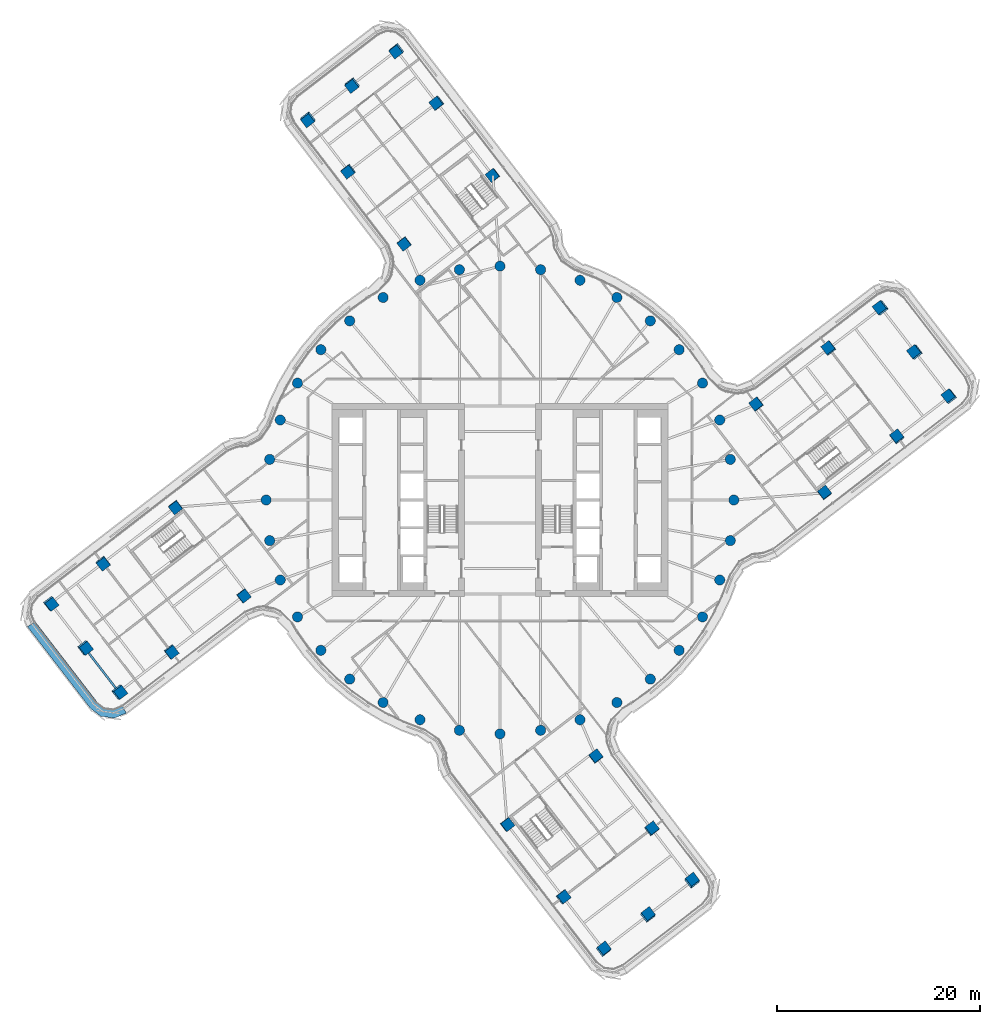
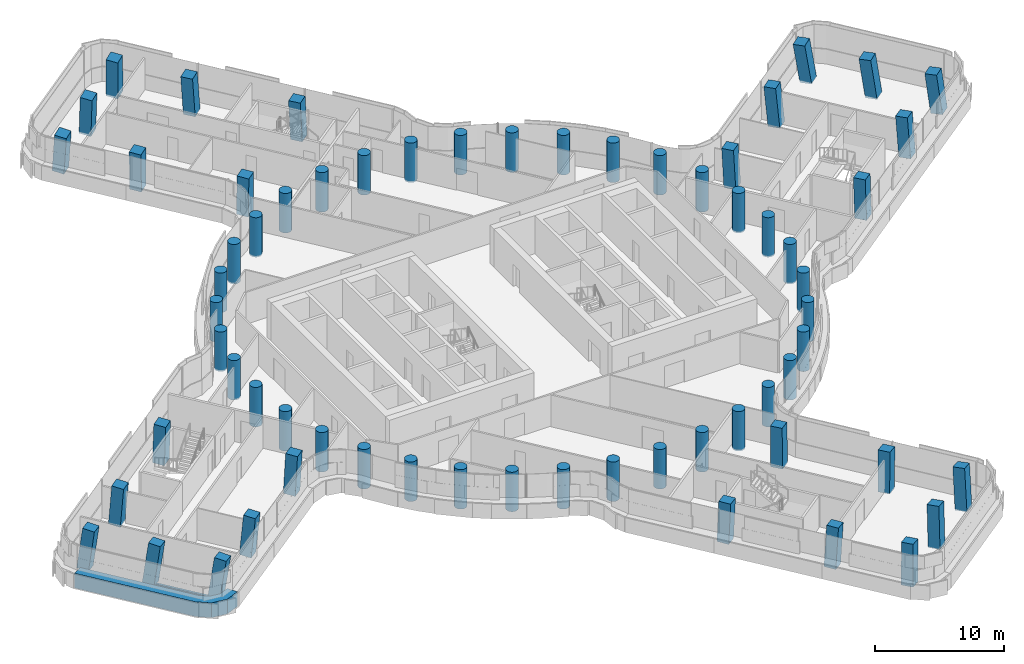
# One storey, part 1 of 33: 64 columns, 1 beam, 1 member, 1 element without a shape of its own.
"""IFC4 building model written with IfcOpenShell, lengths in metres."""

import ifcopenshell
import ifcopenshell.guid

model = None  # the IFC model being written
_history = None  # IfcOwnerHistory: only IFC2X3 demands one
_inside = {}  # id of a spatial element -> (the spatial element, [elements in it])
_under = {}  # id of a project, library or spatial element -> (it, [spatial elements below it])
_declared = {}  # id of a project -> (the project, [libraries it declares])
_typed = {}  # id of a type object -> (the type object, [elements of that type])
_made_of = {}  # id of a material, layer set ... -> (it, [elements and type objects made of it])


def new_model(schema):
    """Start an empty IFC model of exactly this schema.

    Asked for "IFC4X3", IfcOpenShell would pick the latest addendum, in which some entities
    have other attributes; the version numbers below select the first issue.
    IFC2X3 requires an IfcOwnerHistory on every rooted entity: one is made here for all.
    """
    global model, _history
    if schema == "IFC4X3":
        model = ifcopenshell.file(schema_version=(4, 3, 0, 0))
    else:
        model = ifcopenshell.file(schema=schema)
    _inside.clear()
    _under.clear()
    _declared.clear()
    _typed.clear()
    _made_of.clear()
    _history = None
    if model.schema == "IFC2X3":
        org = make("IfcOrganization", Name="unknown")
        user = make(
            "IfcPersonAndOrganization",
            ThePerson=make("IfcPerson", FamilyName="unknown"),
            TheOrganization=org,
        )
        app = make(
            "IfcApplication",
            ApplicationDeveloper=org,
            Version="unknown",
            ApplicationFullName="unknown",
            ApplicationIdentifier="unknown",
        )
        _history = make(
            "IfcOwnerHistory",
            OwningUser=user,
            OwningApplication=app,
            ChangeAction="ADDED",
            CreationDate=0,
        )
    return model


def make(cls, **values):
    """One entity of the class cls with the attributes given. An attribute that is None is left unset."""
    return model.create_entity(
        cls, **{name: value for name, value in values.items() if value is not None}
    )


def rooted(cls, **values):
    """An entity with a GlobalId (a new one), such as an element, a storey or a relation."""
    return make(cls, GlobalId=ifcopenshell.guid.new(), OwnerHistory=_history, **values)


def si_unit(unit_type, name, prefix=None):
    """IfcSIUnit, for example si_unit("LENGTHUNIT", "METRE", prefix="MILLI")."""
    return make("IfcSIUnit", UnitType=unit_type, Prefix=prefix, Name=name)


def assignment(units):
    """IfcUnitAssignment: the units of a project."""
    return None if units is None else make("IfcUnitAssignment", Units=units)


def point(xyz):
    """IfcCartesianPoint."""
    return None if xyz is None else make("IfcCartesianPoint", Coordinates=xyz)


def direction(xyz):
    """IfcDirection."""
    return None if xyz is None else make("IfcDirection", DirectionRatios=xyz)


def frame(location, z_axis=None, x_axis=None):
    """IfcAxis2Placement3D, a coordinate frame: its origin and axes. An axis left out is left unset."""
    return make(
        "IfcAxis2Placement3D",
        Location=point(location),
        Axis=direction(z_axis),
        RefDirection=direction(x_axis),
    )


def frame_2d(location, x_axis=None):
    """IfcAxis2Placement2D, a coordinate frame in the plane: its origin and x axis."""
    return make(
        "IfcAxis2Placement2D", Location=point(location), RefDirection=direction(x_axis)
    )


def origin():
    """The frame at (0, 0, 0) with its axes left unset."""
    return frame((0.0, 0.0, 0.0))


def origin_2d():
    """The frame at (0, 0) in the plane with its x axis left unset."""
    return frame_2d((0.0, 0.0))


def place(relative_to, where):
    """IfcLocalPlacement: puts the frame where relative to a parent placement (None: the world)."""
    return make(
        "IfcLocalPlacement", PlacementRelTo=relative_to, RelativePlacement=where
    )


def context(
    kind, dimensions, precision=None, world=None, true_north=None, identifier=None
):
    """IfcGeometricRepresentationContext, for example the 3D "Model" context."""
    return make(
        "IfcGeometricRepresentationContext",
        ContextIdentifier=identifier,
        ContextType=kind,
        CoordinateSpaceDimension=dimensions,
        Precision=precision,
        WorldCoordinateSystem=world,
        TrueNorth=true_north,
    )


def subcontext(parent, identifier, kind, view, scale=None):
    """IfcGeometricRepresentationSubContext, for example "Body" below "Model"."""
    return make(
        "IfcGeometricRepresentationSubContext",
        ContextIdentifier=identifier,
        ContextType=kind,
        ParentContext=parent,
        TargetScale=scale,
        TargetView=view,
    )


def project(units=None, contexts=None):
    """IfcProject with its units and contexts."""
    return rooted(
        "IfcProject",
        Name="project",
        RepresentationContexts=contexts,
        UnitsInContext=assignment(units),
    )


def spatial(cls, under=None, at=None, **own):
    """A site, building, storey or space (cls), placed at a placement, below another one or the project."""
    s = rooted(cls, ObjectPlacement=at, **own)
    if under is not None:
        _under.setdefault(under.id(), (under, []))[1].append(s)
    return s


def polyline(points):
    """IfcPolyline through the points."""
    return make("IfcPolyline", Points=[point(p) for p in points])


def profile(cls, at=None, kind="AREA", **sizes):
    """A parametric profile (cls). Its sizes go by their IFC names, for example OverallWidth=200.0."""
    return make(cls, ProfileType=kind, Position=at, **sizes)


def rectangle(**sizes):
    """IfcRectangleProfileDef."""
    return profile("IfcRectangleProfileDef", **sizes)


def circle(**sizes):
    """IfcCircleProfileDef."""
    return profile("IfcCircleProfileDef", **sizes)


def i_section(**sizes):
    """IfcIShapeProfileDef."""
    return profile("IfcIShapeProfileDef", **sizes)


def outline(outer, holes=None, kind="AREA"):
    """IfcArbitraryClosedProfileDef: a profile drawn as a closed curve; with holes, ...WithVoids."""
    if holes is None:
        return make("IfcArbitraryClosedProfileDef", ProfileType=kind, OuterCurve=outer)
    return make(
        "IfcArbitraryProfileDefWithVoids",
        ProfileType=kind,
        OuterCurve=outer,
        InnerCurves=holes,
    )


def extrude(swept, where, along, depth):
    """IfcExtrudedAreaSolid: the profile swept, set in the frame where, extruded along a direction by depth."""
    return make(
        "IfcExtrudedAreaSolid",
        SweptArea=swept,
        Position=where,
        ExtrudedDirection=direction(along),
        Depth=depth,
    )


def shape(context_of_items, identifier, shape_type, items):
    """IfcShapeRepresentation: the items that make up one representation, for example the "Body"."""
    return make(
        "IfcShapeRepresentation",
        ContextOfItems=context_of_items,
        RepresentationIdentifier=identifier,
        RepresentationType=shape_type,
        Items=items,
    )


def material(Name=None, Category=None):
    """IfcMaterial."""
    return make("IfcMaterial", Name=Name, Category=Category)


def layer(
    of_material, thickness, ventilated=None, Name=None, Category=None, Priority=None
):
    """IfcMaterialLayer: one layer of a wall or slab, of a material (None: an air gap)."""
    return make(
        "IfcMaterialLayer",
        Material=of_material,
        LayerThickness=thickness,
        IsVentilated=ventilated,
        Name=Name,
        Category=Category,
        Priority=Priority,
    )


def layer_set(layers, Name=None):
    """IfcMaterialLayerSet."""
    return make("IfcMaterialLayerSet", MaterialLayers=layers, LayerSetName=Name)


def material_profile(
    of_material, cross_section, Name=None, Category=None, Priority=None
):
    """IfcMaterialProfile: a cross section and its material."""
    return make(
        "IfcMaterialProfile",
        Name=Name,
        Material=of_material,
        Profile=cross_section,
        Priority=Priority,
        Category=Category,
    )


def profile_set(profiles, Name=None, composite=None):
    """IfcMaterialProfileSet."""
    return make(
        "IfcMaterialProfileSet",
        Name=Name,
        MaterialProfiles=profiles,
        CompositeProfile=composite,
    )


def made_of(thing, what):
    """Note that an element or type object is made of a material, layer set ...; save() writes the relation."""
    if what is not None:
        _made_of.setdefault(what.id(), (what, []))[1].append(thing)
    return thing


def type_object(cls, material=None, **own):
    """A type object (cls), such as IfcWallType, which elements share."""
    return made_of(rooted(cls, **own), material)


def element(
    cls,
    number,
    at=None,
    inside=None,
    cuts=None,
    type_object=None,
    material=None,
    context=None,
    identifier="Body",
    shape_type=None,
    held_by="IfcProductDefinitionShape",
    body=None,
    shapes=None,
    **own,
):
    """One element of the class cls, such as IfcWall. Its Tag is "e" and its number.

    at: its placement. inside: the storey or other place that contains it. cuts: it is an
    opening in that element (IfcRelVoidsElement). A single representation is given by context,
    identifier, shape_type and body (its items); several are given by shapes. held_by: the class
    of the entity that holds the representations. save() writes the other relations.
    """
    e = rooted(cls, Tag="e%d" % number, ObjectPlacement=at, **own)
    if body is not None:
        shapes = [shape(context, identifier, shape_type, body)]
    if shapes is not None:
        e.Representation = make(held_by, Representations=shapes)
    if inside is not None:
        _inside.setdefault(inside.id(), (inside, []))[1].append(e)
    if cuts is not None:
        rooted(
            "IfcRelVoidsElement", RelatingBuildingElement=cuts, RelatedOpeningElement=e
        )
    if type_object is not None:
        _typed.setdefault(type_object.id(), (type_object, []))[1].append(e)
    return made_of(e, material)


def aggregate(whole, parts):
    """IfcRelAggregates: a whole, such as a stair, and the parts it consists of."""
    return rooted("IfcRelAggregates", RelatingObject=whole, RelatedObjects=parts)


def save(model, path):
    """Write the relations noted so far, then the file.

    IfcRelAggregates (storeys below a building ...), IfcRelContainedInSpatialStructure (elements
    in a storey), IfcRelDefinesByType, IfcRelAssociatesMaterial and IfcRelDeclares: one each for
    every whole, place, type object, material and project.
    """
    for whole, parts in _under.values():
        aggregate(whole, parts)
    for where, things in _inside.values():
        rooted(
            "IfcRelContainedInSpatialStructure",
            RelatedElements=things,
            RelatingStructure=where,
        )
    for kind, things in _typed.values():
        rooted("IfcRelDefinesByType", RelatedObjects=things, RelatingType=kind)
    for what, things in _made_of.values():
        rooted("IfcRelAssociatesMaterial", RelatedObjects=things, RelatingMaterial=what)
    for by, libraries in _declared.values():
        rooted("IfcRelDeclares", RelatingContext=by, RelatedDefinitions=libraries)
    model.write(path)


model = new_model("IFC4")

# Units and contexts
model_context = context("Model", 3, precision=1e-05, world=origin(), true_north=direction((0.0, 1.0)))
body_context = subcontext(model_context, "Body", "Model", "MODEL_VIEW")
ifc_project = project(units=[si_unit("LENGTHUNIT", "METRE"), si_unit("AREAUNIT", "SQUARE_METRE"), si_unit("VOLUMEUNIT", "CUBIC_METRE"), si_unit("PLANEANGLEUNIT", "RADIAN"), si_unit("MASSUNIT", "GRAM", prefix="KILO")], contexts=[model_context])

# Site, building, storey
site_placement = place(None, origin())
site = spatial("IfcSite", under=ifc_project, at=site_placement, CompositionType="ELEMENT")
building_placement = place(site_placement, origin())
building = spatial("IfcBuilding", under=site, at=building_placement, Name="Tamarind Cross Interchange Tower", CompositionType="ELEMENT")
storey_placement = place(building_placement, frame((0.0, 0.0, 170.5)))
storey = spatial("IfcBuildingStorey", under=building, at=storey_placement, Name="L42", CompositionType="ELEMENT", Elevation=170.5)

# Columns
ifc_material_1 = material(Name="Concrete C60", Category="concrete")
ifc_material_profile_1 = material_profile(ifc_material_1, rectangle(XDim=1.0, YDim=1.0, at=origin_2d()), Name="RC 1000x1000")
ifc_profile_set_1 = profile_set([ifc_material_profile_1], Name="Concrete C60")
column_type_1 = type_object("IfcColumnType", Name="Column RC 1000x1000 Concrete C60", PredefinedType="COLUMN", material=ifc_profile_set_1)
for number, where, z_axis, x_axis, name in (
    (1, (32.347412109375, 14.91552734375, -0.138427734375), (-0.072695791164, 0.049459100774, 0.996127059816), (0.607260918781, -0.790097573591, 0.083546398652), "Column L42-036"),
    (2, (39.06103515625, 6.201904296875, -0.138427734375), (-0.030830743111, 0.082366764228, 0.996125083225), (-0.792311672245, -0.609567385203, 0.025880821496), "Column L42-037"),
):
    element("IfcColumn", number, at=place(storey_placement, frame(where, z_axis=z_axis, x_axis=x_axis)), inside=storey, type_object=column_type_1, Name=name, PredefinedType="COLUMN", context=body_context, shape_type="SweptSolid", body=[
        extrude(rectangle(XDim=1.0, YDim=1.0, at=origin_2d()), origin(), (0.0, 0.0, 1.0), 3.761474609375),
    ])
for number, where, z_axis, x_axis, name in (
    (3, (25.218017578125, 9.422607421875, -0.138671875), (-0.045877682669, 0.015162411435, 0.99883198763), (0.610036224661, -0.791361600627, 0.04003275727), "Column L42-038"),
    (4, (31.931640625, 0.708984375, -0.138671875), (-0.003904484574, 0.048155309744, 0.998832228727), (-0.79187723657, -0.610112899757, 0.026319037828), "Column L42-039"),
):
    element("IfcColumn", number, at=place(storey_placement, frame(where, z_axis=z_axis, x_axis=x_axis)), inside=storey, type_object=column_type_1, Name=name, PredefinedType="COLUMN", context=body_context, shape_type="SweptSolid", body=[
        extrude(rectangle(XDim=1.0, YDim=1.0, at=origin_2d()), origin(), (0.0, 0.0, 1.0), 3.751708984375),
    ])
column_1_placement = place(storey_placement, frame((44.213134765625, 10.17138671875, -0.137939453125), z_axis=(-0.105558020389, 0.062416353968, 0.992452368171), x_axis=(0.604178795661, -0.788672035447, 0.113861333989)))
element("IfcColumn", 5, at=column_1_placement, inside=storey, type_object=column_type_1, Name="Column L42-040", PredefinedType="COLUMN", context=body_context, shape_type="SweptSolid", body=[
    extrude(rectangle(XDim=1.0, YDim=1.0, at=origin_2d()), origin(), (0.0, 0.0, 1.0), 3.774658203125),
])
column_2_placement = place(storey_placement, frame((40.856201171875, 14.5283203125, -0.137939453125), z_axis=(-0.12620082728, 0.045920567142, 0.990941296297), x_axis=(0.603095842197, -0.78956747514, 0.113395799418)))
element("IfcColumn", 6, at=column_2_placement, inside=storey, type_object=column_type_1, Name="Column L42-041", PredefinedType="COLUMN", context=body_context, shape_type="SweptSolid", body=[
    extrude(rectangle(XDim=1.0, YDim=1.0, at=origin_2d()), origin(), (0.0, 0.0, 1.0), 3.780029296875),
])
column_3_placement = place(storey_placement, frame((37.49951171875, 18.885009765625, -0.1376953125), z_axis=(-0.146744059853, 0.029516372162, 0.988734021197), x_axis=(0.601848649133, -0.790585930101, 0.112925155134)))
element("IfcColumn", 7, at=column_3_placement, inside=storey, type_object=column_type_1, Name="Column L42-042", PredefinedType="COLUMN", context=body_context, shape_type="SweptSolid", body=[
    extrude(rectangle(XDim=1.0, YDim=1.0, at=origin_2d()), origin(), (0.0, 0.0, 1.0), 3.788330078125),
])
for number, where, z_axis, x_axis, name in (
    (8, (-14.91552734375, 32.347412109375, -0.138427734375), (-0.049459100774, -0.072695791164, 0.996127059816), (0.790097573591, 0.607260918781, 0.083546398652), "Column L42-043"),
    (9, (-6.201904296875, 39.06103515625, -0.138427734375), (-0.082366764228, -0.030830743111, 0.996125083225), (0.609567385203, -0.792311672245, 0.025880821496), "Column L42-044"),
):
    element("IfcColumn", number, at=place(storey_placement, frame(where, z_axis=z_axis, x_axis=x_axis)), inside=storey, type_object=column_type_1, Name=name, PredefinedType="COLUMN", context=body_context, shape_type="SweptSolid", body=[
        extrude(rectangle(XDim=1.0, YDim=1.0, at=origin_2d()), origin(), (0.0, 0.0, 1.0), 3.761474609375),
    ])
for number, where, z_axis, x_axis, name in (
    (10, (-9.422607421875, 25.218017578125, -0.138671875), (-0.015162411435, -0.045877682669, 0.99883198763), (0.791361600627, 0.610036224661, 0.04003275727), "Column L42-045"),
    (11, (-0.708984375, 31.931640625, -0.138671875), (-0.048155309744, -0.003904484574, 0.998832228727), (0.610112899757, -0.79187723657, 0.026319037828), "Column L42-046"),
):
    element("IfcColumn", number, at=place(storey_placement, frame(where, z_axis=z_axis, x_axis=x_axis)), inside=storey, type_object=column_type_1, Name=name, PredefinedType="COLUMN", context=body_context, shape_type="SweptSolid", body=[
        extrude(rectangle(XDim=1.0, YDim=1.0, at=origin_2d()), origin(), (0.0, 0.0, 1.0), 3.751708984375),
    ])
column_4_placement = place(storey_placement, frame((-10.17138671875, 44.213134765625, -0.137939453125), z_axis=(-0.062416353968, -0.105558020389, 0.992452368171), x_axis=(0.788672035447, 0.604178795661, 0.113861333989)))
element("IfcColumn", 12, at=column_4_placement, inside=storey, type_object=column_type_1, Name="Column L42-047", PredefinedType="COLUMN", context=body_context, shape_type="SweptSolid", body=[
    extrude(rectangle(XDim=1.0, YDim=1.0, at=origin_2d()), origin(), (0.0, 0.0, 1.0), 3.774658203125),
])
column_5_placement = place(storey_placement, frame((-14.5283203125, 40.856201171875, -0.137939453125), z_axis=(-0.045920567142, -0.12620082728, 0.990941296297), x_axis=(0.78956747514, 0.603095842197, 0.113395799418)))
element("IfcColumn", 13, at=column_5_placement, inside=storey, type_object=column_type_1, Name="Column L42-048", PredefinedType="COLUMN", context=body_context, shape_type="SweptSolid", body=[
    extrude(rectangle(XDim=1.0, YDim=1.0, at=origin_2d()), origin(), (0.0, 0.0, 1.0), 3.780029296875),
])
column_6_placement = place(storey_placement, frame((-18.885009765625, 37.49951171875, -0.1376953125), z_axis=(-0.029516372162, -0.146744059853, 0.988734021197), x_axis=(0.790585930101, 0.601848649133, 0.112925155134)))
element("IfcColumn", 14, at=column_6_placement, inside=storey, type_object=column_type_1, Name="Column L42-049", PredefinedType="COLUMN", context=body_context, shape_type="SweptSolid", body=[
    extrude(rectangle(XDim=1.0, YDim=1.0, at=origin_2d()), origin(), (0.0, 0.0, 1.0), 3.788330078125),
])
for number, where, z_axis, x_axis, name in (
    (15, (-32.347412109375, -14.91552734375, -0.138427734375), (0.072695791164, -0.049459100774, 0.996127059816), (-0.607260918781, 0.790097573591, 0.083546398652), "Column L42-050"),
    (16, (-39.06103515625, -6.201904296875, -0.138427734375), (0.030830743111, -0.082366764228, 0.996125083225), (0.792311672245, 0.609567385203, 0.025880821496), "Column L42-051"),
):
    element("IfcColumn", number, at=place(storey_placement, frame(where, z_axis=z_axis, x_axis=x_axis)), inside=storey, type_object=column_type_1, Name=name, PredefinedType="COLUMN", context=body_context, shape_type="SweptSolid", body=[
        extrude(rectangle(XDim=1.0, YDim=1.0, at=origin_2d()), origin(), (0.0, 0.0, 1.0), 3.761474609375),
    ])
for number, where, z_axis, x_axis, name in (
    (17, (-25.218017578125, -9.422607421875, -0.138671875), (0.045877682669, -0.015162411435, 0.99883198763), (-0.610036224661, 0.791361600627, 0.04003275727), "Column L42-052"),
    (18, (-31.931640625, -0.708984375, -0.138671875), (0.003904484574, -0.048155309744, 0.998832228727), (0.79187723657, 0.610112899757, 0.026319037828), "Column L42-053"),
):
    element("IfcColumn", number, at=place(storey_placement, frame(where, z_axis=z_axis, x_axis=x_axis)), inside=storey, type_object=column_type_1, Name=name, PredefinedType="COLUMN", context=body_context, shape_type="SweptSolid", body=[
        extrude(rectangle(XDim=1.0, YDim=1.0, at=origin_2d()), origin(), (0.0, 0.0, 1.0), 3.751708984375),
    ])
column_7_placement = place(storey_placement, frame((-44.213134765625, -10.17138671875, -0.137939453125), z_axis=(0.105558020389, -0.062416353968, 0.992452368171), x_axis=(-0.604178795661, 0.788672035447, 0.113861333989)))
element("IfcColumn", 19, at=column_7_placement, inside=storey, type_object=column_type_1, Name="Column L42-054", PredefinedType="COLUMN", context=body_context, shape_type="SweptSolid", body=[
    extrude(rectangle(XDim=1.0, YDim=1.0, at=origin_2d()), origin(), (0.0, 0.0, 1.0), 3.774658203125),
])
column_8_placement = place(storey_placement, frame((-40.856201171875, -14.5283203125, -0.137939453125), z_axis=(0.12620082728, -0.045920567142, 0.990941296297), x_axis=(-0.603095842197, 0.78956747514, 0.113395799418)))
element("IfcColumn", 20, at=column_8_placement, inside=storey, type_object=column_type_1, Name="Column L42-055", PredefinedType="COLUMN", context=body_context, shape_type="SweptSolid", body=[
    extrude(rectangle(XDim=1.0, YDim=1.0, at=origin_2d()), origin(), (0.0, 0.0, 1.0), 3.780029296875),
])
column_9_placement = place(storey_placement, frame((-37.49951171875, -18.885009765625, -0.1376953125), z_axis=(0.146744059853, -0.029516372162, 0.988734021197), x_axis=(-0.601848649133, 0.790585930101, 0.112925155134)))
element("IfcColumn", 21, at=column_9_placement, inside=storey, type_object=column_type_1, Name="Column L42-056", PredefinedType="COLUMN", context=body_context, shape_type="SweptSolid", body=[
    extrude(rectangle(XDim=1.0, YDim=1.0, at=origin_2d()), origin(), (0.0, 0.0, 1.0), 3.788330078125),
])
for number, where, z_axis, x_axis, name in (
    (22, (14.91552734375, -32.347412109375, -0.138427734375), (0.049459100774, 0.072695791164, 0.996127059816), (-0.790097573591, -0.607260918781, 0.083546398652), "Column L42-057"),
    (23, (6.201904296875, -39.06103515625, -0.138427734375), (0.082366764228, 0.030830743111, 0.996125083225), (-0.609567385203, 0.792311672245, 0.025880821496), "Column L42-058"),
):
    element("IfcColumn", number, at=place(storey_placement, frame(where, z_axis=z_axis, x_axis=x_axis)), inside=storey, type_object=column_type_1, Name=name, PredefinedType="COLUMN", context=body_context, shape_type="SweptSolid", body=[
        extrude(rectangle(XDim=1.0, YDim=1.0, at=origin_2d()), origin(), (0.0, 0.0, 1.0), 3.761474609375),
    ])
for number, where, z_axis, x_axis, name in (
    (24, (9.422607421875, -25.218017578125, -0.138671875), (0.015162411435, 0.045877682669, 0.99883198763), (-0.791361600627, -0.610036224661, 0.04003275727), "Column L42-059"),
    (25, (0.708984375, -31.931640625, -0.138671875), (0.048155309744, 0.003904484574, 0.998832228727), (-0.610112899757, 0.79187723657, 0.026319037828), "Column L42-060"),
):
    element("IfcColumn", number, at=place(storey_placement, frame(where, z_axis=z_axis, x_axis=x_axis)), inside=storey, type_object=column_type_1, Name=name, PredefinedType="COLUMN", context=body_context, shape_type="SweptSolid", body=[
        extrude(rectangle(XDim=1.0, YDim=1.0, at=origin_2d()), origin(), (0.0, 0.0, 1.0), 3.751708984375),
    ])
column_10_placement = place(storey_placement, frame((10.17138671875, -44.213134765625, -0.137939453125), z_axis=(0.062416353968, 0.105558020389, 0.992452368171), x_axis=(-0.788672035447, -0.604178795661, 0.113861333989)))
element("IfcColumn", 26, at=column_10_placement, inside=storey, type_object=column_type_1, Name="Column L42-061", PredefinedType="COLUMN", context=body_context, shape_type="SweptSolid", body=[
    extrude(rectangle(XDim=1.0, YDim=1.0, at=origin_2d()), origin(), (0.0, 0.0, 1.0), 3.774658203125),
])
column_11_placement = place(storey_placement, frame((14.5283203125, -40.856201171875, -0.137939453125), z_axis=(0.045920567142, 0.12620082728, 0.990941296297), x_axis=(-0.78956747514, -0.603095842197, 0.113395799418)))
element("IfcColumn", 27, at=column_11_placement, inside=storey, type_object=column_type_1, Name="Column L42-062", PredefinedType="COLUMN", context=body_context, shape_type="SweptSolid", body=[
    extrude(rectangle(XDim=1.0, YDim=1.0, at=origin_2d()), origin(), (0.0, 0.0, 1.0), 3.780029296875),
])
column_12_placement = place(storey_placement, frame((18.885009765625, -37.49951171875, -0.1376953125), z_axis=(0.029516372162, 0.146744059853, 0.988734021197), x_axis=(-0.790585930101, -0.601848649133, 0.112925155134)))
element("IfcColumn", 28, at=column_12_placement, inside=storey, type_object=column_type_1, Name="Column L42-063", PredefinedType="COLUMN", context=body_context, shape_type="SweptSolid", body=[
    extrude(rectangle(XDim=1.0, YDim=1.0, at=origin_2d()), origin(), (0.0, 0.0, 1.0), 3.788330078125),
])
ifc_material_profile_2 = material_profile(ifc_material_1, circle(Radius=0.5, at=origin_2d()), Name="RC D1000")
ifc_profile_set_2 = profile_set([ifc_material_profile_2], Name="Concrete C60")
column_type_2 = type_object("IfcColumnType", Name="Column RC D1000 Concrete C60", PredefinedType="COLUMN", material=ifc_profile_set_2)
for number, where, z_axis, x_axis, name in (
    (29, (23.0, 0.0, -0.139892578125), (0.0, 0.0, 1.0), (1.0, 0.0, 0.0), "Column L42-000"),
    (30, (22.650634765625, 3.993896484375, -0.139892578125), (0.0, 0.0, 1.0), (1.0, 0.0, 0.0), "Column L42-001"),
    (31, (21.613037109375, 7.866455078125, -0.139892578125), (0.0, 0.0, 1.0), (1.0, 0.0, 0.0), "Column L42-002"),
    (32, (19.918701171875, 11.5, -0.139892578125), (0.0, 0.0, 1.0), (1.0, 0.0, 0.0), "Column L42-003"),
    (33, (17.619140625, 14.7841796875, -0.139892578125), (0.0, 0.0, 1.0), (1.0, 0.0, 0.0), "Column L42-004"),
    (34, (14.7841796875, 17.619140625, -0.139892578125), (0.0, 0.0, 1.0), (1.0, 0.0, 0.0), "Column L42-005"),
    (35, (11.5, 19.918701171875, -0.139892578125), (0.0, 0.0, 1.0), (1.0, 0.0, 0.0), "Column L42-006"),
    (36, (7.866455078125, 21.613037109375, -0.139892578125), (0.0, 0.0, 1.0), (1.0, 0.0, 0.0), "Column L42-007"),
    (37, (3.993896484375, 22.650634765625, -0.139892578125), (0.0, 0.0, 1.0), (1.0, 0.0, 0.0), "Column L42-008"),
    (38, (0.0, 23.0, -0.139892578125), (0.0, 0.0, 1.0), (1.0, 0.0, 0.0), "Column L42-009"),
    (39, (-3.993896484375, 22.650634765625, -0.139892578125), (0.0, 0.0, 1.0), (1.0, 0.0, 0.0), "Column L42-010"),
    (40, (-7.866455078125, 21.613037109375, -0.139892578125), (0.0, 0.0, 1.0), (1.0, 0.0, 0.0), "Column L42-011"),
    (41, (-11.5, 19.918701171875, -0.139892578125), (0.0, 0.0, 1.0), (1.0, 0.0, 0.0), "Column L42-012"),
    (42, (-14.7841796875, 17.619140625, -0.139892578125), (0.0, 0.0, 1.0), (1.0, 0.0, 0.0), "Column L42-013"),
    (43, (-17.619140625, 14.7841796875, -0.139892578125), (0.0, 0.0, 1.0), (1.0, 0.0, 0.0), "Column L42-014"),
    (44, (-19.918701171875, 11.5, -0.139892578125), (0.0, 0.0, 1.0), (1.0, 0.0, 0.0), "Column L42-015"),
    (45, (-21.613037109375, 7.866455078125, -0.139892578125), (0.0, 0.0, 1.0), (1.0, 0.0, 0.0), "Column L42-016"),
    (46, (-22.650634765625, 3.993896484375, -0.139892578125), (0.0, 0.0, 1.0), (1.0, 0.0, 0.0), "Column L42-017"),
    (47, (-23.0, 0.0, -0.139892578125), (0.0, 0.0, 1.0), (1.0, 0.0, 0.0), "Column L42-018"),
    (48, (-22.650634765625, -3.993896484375, -0.139892578125), (0.0, 0.0, 1.0), (1.0, 0.0, 0.0), "Column L42-019"),
    (49, (-21.613037109375, -7.866455078125, -0.139892578125), (0.0, 0.0, 1.0), (1.0, 0.0, 0.0), "Column L42-020"),
    (50, (-19.918701171875, -11.5, -0.139892578125), (0.0, 0.0, 1.0), (1.0, 0.0, 0.0), "Column L42-021"),
    (51, (-17.619140625, -14.7841796875, -0.139892578125), (0.0, 0.0, 1.0), (1.0, 0.0, 0.0), "Column L42-022"),
    (52, (-14.7841796875, -17.619140625, -0.139892578125), (0.0, 0.0, 1.0), (1.0, 0.0, 0.0), "Column L42-023"),
    (53, (-11.5, -19.918701171875, -0.139892578125), (0.0, 0.0, 1.0), (1.0, 0.0, 0.0), "Column L42-024"),
    (54, (-7.866455078125, -21.613037109375, -0.139892578125), (0.0, 0.0, 1.0), (1.0, 0.0, 0.0), "Column L42-025"),
    (55, (-3.993896484375, -22.650634765625, -0.139892578125), (0.0, 0.0, 1.0), (1.0, 0.0, 0.0), "Column L42-026"),
    (56, (0.0, -23.0, -0.139892578125), (0.0, 0.0, 1.0), (1.0, 0.0, 0.0), "Column L42-027"),
    (57, (3.993896484375, -22.650634765625, -0.139892578125), (0.0, 0.0, 1.0), (1.0, 0.0, 0.0), "Column L42-028"),
    (58, (7.866455078125, -21.613037109375, -0.139892578125), (0.0, 0.0, 1.0), (1.0, 0.0, 0.0), "Column L42-029"),
    (59, (11.5, -19.918701171875, -0.139892578125), (0.0, 0.0, 1.0), (1.0, 0.0, 0.0), "Column L42-030"),
    (60, (14.7841796875, -17.619140625, -0.139892578125), (0.0, 0.0, 1.0), (1.0, 0.0, 0.0), "Column L42-031"),
    (61, (17.619140625, -14.7841796875, -0.139892578125), (0.0, 0.0, 1.0), (1.0, 0.0, 0.0), "Column L42-032"),
    (62, (19.918701171875, -11.5, -0.139892578125), (0.0, 0.0, 1.0), (1.0, 0.0, 0.0), "Column L42-033"),
    (63, (21.613037109375, -7.866455078125, -0.139892578125), (0.0, 0.0, 1.0), (1.0, 0.0, 0.0), "Column L42-034"),
    (64, (22.650634765625, -3.993896484375, -0.139892578125), (0.0, 0.0, 1.0), (1.0, 0.0, 0.0), "Column L42-035"),
):
    element("IfcColumn", number, at=place(storey_placement, frame(where, z_axis=z_axis, x_axis=x_axis)), inside=storey, type_object=column_type_2, Name=name, PredefinedType="COLUMN", context=body_context, shape_type="SweptSolid", body=[
        extrude(circle(Radius=0.5, at=origin_2d()), origin(), (0.0, 0.0, 1.0), 3.75),
    ])

# Beam
ifc_material_2 = material(Name="Steel Q355B", Category="steel")
ifc_material_profile_3 = material_profile(ifc_material_2, i_section(OverallWidth=0.199951171875, OverallDepth=0.60009765625, WebThickness=0.010986328125, FlangeThickness=0.01708984375, FilletRadius=0.012939453125, at=origin_2d()), Name="HN 600x200x11x17")
ifc_profile_set_3 = profile_set([ifc_material_profile_3], Name="Steel Q355B")
beam_type = type_object("IfcBeamType", Name="Composite beam HN 600x200x11x17 Q355B", PredefinedType="BEAM", material=ifc_profile_set_3)
beam_placement = place(storey_placement, frame((-40.8564453125, -14.5283203125, -0.43994140625), z_axis=(0.610326269486, -0.792150140299, 0.0), x_axis=(0.792150140299, 0.610326269486, 0.0)))
element("IfcBeam", 65, at=beam_placement, inside=storey, type_object=beam_type, Name="Beam W-tip1", PredefinedType="BEAM", context=body_context, shape_type="SweptSolid", body=[
    extrude(i_section(OverallWidth=0.199951171875, OverallDepth=0.60009765625, WebThickness=0.010986328125, FlangeThickness=0.01708984375, FilletRadius=0.012939453125, at=origin_2d()), origin(), (0.0, 0.0, 1.0), 5.499755859375),
])

# Curtain wall, member
ifc_material_3 = material(Name="Aluminium 6063-T6", Category="aluminium")
ifc_layer = layer(ifc_material_3, 0.159912109375)
ifc_layer_set = layer_set([ifc_layer], Name="Aluminium 6063-T6")
curtain_wall_type = type_object("IfcCurtainWallType", Name="Office curtain wall, 9.0 m bays", PredefinedType="NOTDEFINED", material=ifc_layer_set)
curtain_wall_placement = place(storey_placement, origin())
curtain_wall = element("IfcCurtainWall", 66, at=curtain_wall_placement, inside=storey, type_object=curtain_wall_type, Name="CWS-L42-08", PredefinedType="NOTDEFINED")
ifc_material_4 = material(Name="Aluminium and insulated spandrel panel", Category="aluminium")
member_type = type_object("IfcMemberType", Name="Floor-edge blade transom", PredefinedType="USERDEFINED", material=ifc_material_4)
member_placement = place(storey_placement, origin())
member = element("IfcMember", 67, at=member_placement, type_object=member_type, Name="CWT-L42-08", ObjectType="TRANSOM", PredefinedType="USERDEFINED", context=body_context, shape_type="SweptSolid", body=[
    extrude(outline(polyline([(-45.699951171875, -11.997802734375), (-39.64501953125, -19.85693359375), (-38.917724609375, -20.41259765625), (-38.050537109375, -20.525146484375), (-37.205078125, -20.173095703125), (-36.750732421875, -20.958740234375), (-37.927001953125, -21.44873046875), (-39.272705078125, -21.274169921875), (-40.28564453125, -20.5), (-46.4853515625, -12.453369140625), (-45.699951171875, -11.997802734375)])), origin(), (0.0, 0.0, 1.0), 1.39990234375),
])
aggregate(curtain_wall, [member])

save(model, "model.ifc")
